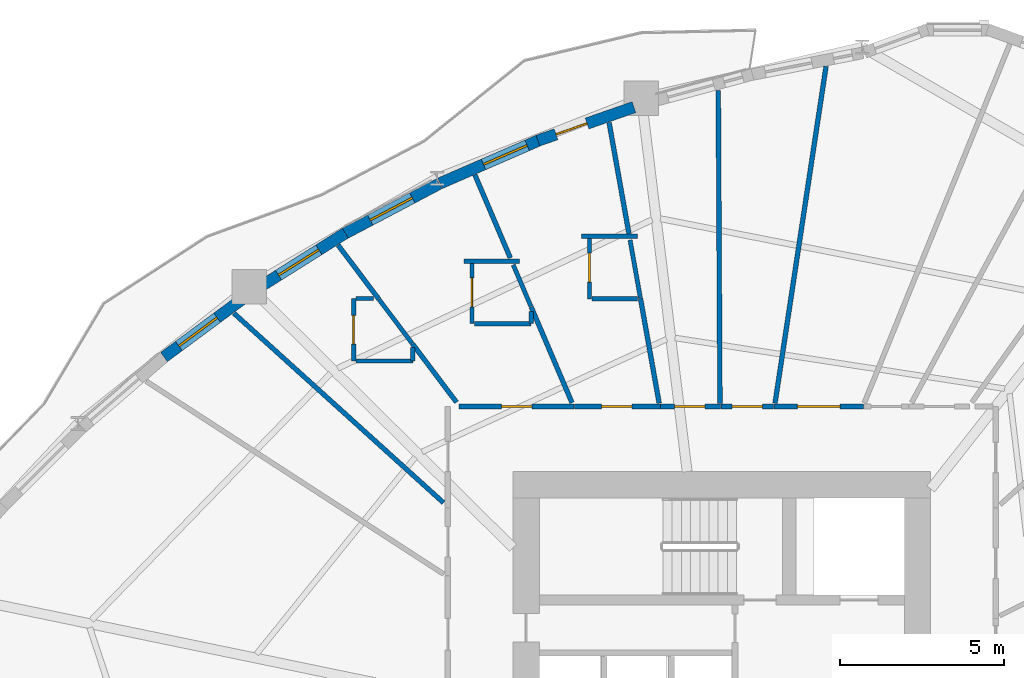
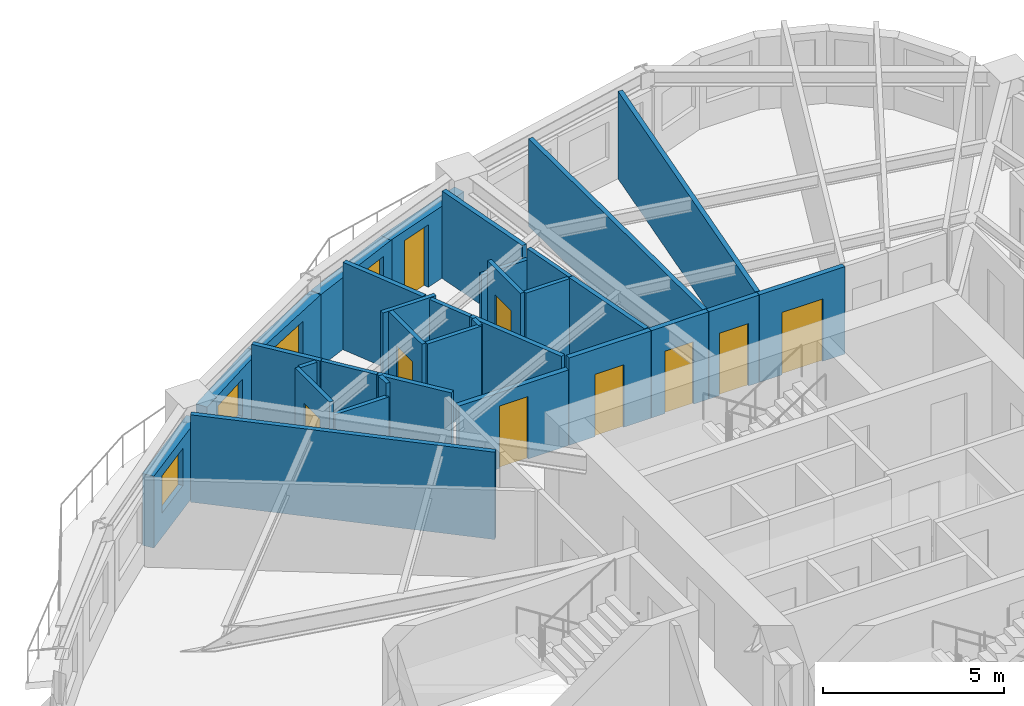
# One storey, part 8 of 14: 33 walls, 9 doors, 4 windows, 13 openings.
"""IFC4 building model written with IfcOpenShell, lengths in metres."""

from ifc_helpers import new_model, si_unit, direction, frame, frame_2d, origin, place, context, subcontext, project, spatial, rectangle, extrude, source, transform, mapped, material, layer, layer_set, type_object, element, fill, save


model = new_model("IFC4")

# Units and contexts
model_context = context("Model", 3, precision=1e-05, world=origin(), true_north=direction((0.0, 1.0)))
body_context = subcontext(model_context, "Body", "Model", "MODEL_VIEW")
ifc_project = project(units=[si_unit("LENGTHUNIT", "METRE"), si_unit("AREAUNIT", "SQUARE_METRE"), si_unit("VOLUMEUNIT", "CUBIC_METRE"), si_unit("PLANEANGLEUNIT", "RADIAN"), si_unit("MASSUNIT", "GRAM", prefix="KILO")], contexts=[model_context])

# Site, building, storey
site_placement = place(None, origin())
site = spatial("IfcSite", under=ifc_project, at=site_placement, CompositionType="ELEMENT")
building_placement = place(site_placement, origin())
building = spatial("IfcBuilding", under=site, at=building_placement, Name="Qafzar Sky-Pleat Residences", CompositionType="ELEMENT")
storey_placement = place(building_placement, frame((0.0, 0.0, 39.800048828125)))
storey = spatial("IfcBuildingStorey", under=building, at=storey_placement, Name="L11", CompositionType="ELEMENT", Elevation=39.800048828125)

# Wall, opening, door
ifc_material_1 = material(Name="Acoustic gypsum plasterboard partition", Category="gypsum")
ifc_layer_1 = layer(ifc_material_1, 0.159912109375)
ifc_layer_set_1 = layer_set([ifc_layer_1], Name="Acoustic gypsum plasterboard partition")
wall_type_1 = type_object("IfcWallType", Name="PART-COR-160", PredefinedType="PARTITIONING", material=ifc_layer_set_1)
wall_1_placement = place(storey_placement, frame((22.361083984375, 36.580078125, 0.0), z_axis=(0.0, 0.0, 1.0), x_axis=(1.0, 0.0, 0.0)))
wall_1 = element("IfcWall", 1, at=wall_1_placement, inside=storey, type_object=wall_type_1, Name="L11 Partition Wall PART-L11-PW-005", PredefinedType="PARTITIONING", context=body_context, shape_type="SweptSolid", body=[
    extrude(rectangle(XDim=3.497802734375, YDim=0.159912109375, at=frame_2d((1.7490234375, 0.0))), origin(), (0.0, 0.0, 1.0), 2.5478515625),
])
opening_1_placement = place(wall_1_placement, frame((1.29052734375, 0.0, 0.0)))
opening_1 = element("IfcOpeningElement", 2, at=opening_1_placement, cuts=wall_1, Name="Opening ID-04", PredefinedType="OPENING", context=body_context, shape_type="SweptSolid", body=[
    extrude(rectangle(XDim=0.919921875, YDim=2.10009765625, at=frame_2d((0.4599609375, 1.050048828125))), frame((0.0, 0.08984375, 0.0), z_axis=(0.0, -1.0, 0.0), x_axis=(1.0, 0.0, 0.0)), (0.0, 0.0, 1.0), 0.179931640625),
])
ifc_material_2 = material(Name="Timber-faced fire door", Category="wood")
door_type_1 = type_object("IfcDoorType", Name="DR-BED-920", OperationType="NOTDEFINED", PredefinedType="DOOR", material=ifc_material_2)
shared_shape_1 = source(origin(), body_context, "Body", "SweptSolid", [
    extrude(rectangle(XDim=0.919921875, YDim=2.10009765625, at=frame_2d((0.4599609375, 1.050048828125))), frame((0.0, 0.02490234375, 0.0), z_axis=(0.0, -1.0, 0.0), x_axis=(1.0, 0.0, 0.0)), (0.0, 0.0, 1.0), 0.050048828125),
])
door_1_placement = place(opening_1_placement, origin())
door_1 = element("IfcDoor", 3, at=door_1_placement, inside=storey, type_object=door_type_1, Name="L11 Co-Living Bedroom 13 Door", OperationType="SINGLE_SWING_RIGHT", OverallHeight=2.10009765625, OverallWidth=0.919921875, PredefinedType="DOOR", context=body_context, shape_type="MappedRepresentation", body=[
    mapped(shared_shape_1, transform((0.0, 0.0, 0.0), x_axis=(1.0, 0.0, 0.0), y_axis=(0.0, 1.0, 0.0), z_axis=(0.0, 0.0, 1.0), scale=1.0)),
])
fill(opening_1, door_1)

wall_2_placement = place(storey_placement, frame((31.93798828125, 36.580078125, 0.0), z_axis=(0.0, 0.0, 1.0), x_axis=(1.0, 0.0, 0.0)))
wall_2 = element("IfcWall", 4, at=wall_2_placement, inside=storey, type_object=wall_type_1, Name="L11 Partition Wall PART-L11-PW-013", PredefinedType="PARTITIONING", context=body_context, shape_type="SweptSolid", body=[
    extrude(rectangle(XDim=2.718017578125, YDim=0.159912109375, at=frame_2d((1.35888671875, 0.0))), origin(), (0.0, 0.0, 1.0), 2.93994140625),
])
opening_2_placement = place(wall_2_placement, frame((0.7080078125, 0.0, 0.0)))
opening_2 = element("IfcOpeningElement", 5, at=opening_2_placement, cuts=wall_2, Name="Opening ID-05", PredefinedType="OPENING", context=body_context, shape_type="SweptSolid", body=[
    extrude(rectangle(XDim=1.300048828125, YDim=2.10009765625, at=frame_2d((0.64990234375, 1.050048828125))), frame((0.0, 0.08984375, 0.0), z_axis=(0.0, -1.0, 0.0), x_axis=(1.0, 0.0, 0.0)), (0.0, 0.0, 1.0), 0.179931640625),
])
door_type_2 = type_object("IfcDoorType", Name="DR-LNG-1300", OperationType="DOUBLE_DOOR_SINGLE_SWING", PredefinedType="DOOR", material=ifc_material_2)
shared_shape_2 = source(origin(), body_context, "Body", "SweptSolid", [
    extrude(rectangle(XDim=1.300048828125, YDim=2.10009765625, at=frame_2d((0.64990234375, 1.050048828125))), frame((0.0, 0.02490234375, 0.0), z_axis=(0.0, -1.0, 0.0), x_axis=(1.0, 0.0, 0.0)), (0.0, 0.0, 1.0), 0.050048828125),
])
door_2_placement = place(opening_2_placement, origin())
door_2 = element("IfcDoor", 6, at=door_2_placement, inside=storey, type_object=door_type_2, Name="L11 Common Dining Room Door", OperationType="DOUBLE_DOOR_SINGLE_SWING", OverallHeight=2.10009765625, OverallWidth=1.300048828125, PredefinedType="DOOR", context=body_context, shape_type="MappedRepresentation", body=[
    mapped(shared_shape_2, transform((0.0, 0.0, 0.0), x_axis=(1.0, 0.0, 0.0), y_axis=(0.0, 1.0, 0.0), z_axis=(0.0, 0.0, 1.0), scale=1.0)),
])
fill(opening_2, door_2)

wall_3_placement = place(storey_placement, frame((25.8740234375, 36.580078125, 0.0), z_axis=(0.0, 0.0, 1.0), x_axis=(1.0, 0.0, 0.0)))
wall_3 = element("IfcWall", 7, at=wall_3_placement, inside=storey, type_object=wall_type_1, Name="L11 Partition Wall PART-L11-PW-015", PredefinedType="PARTITIONING", context=body_context, shape_type="SweptSolid", body=[
    extrude(rectangle(XDim=2.60400390625, YDim=0.159912109375, at=frame_2d((1.302001953125, 0.0))), origin(), (0.0, 0.0, 1.0), 2.93994140625),
])
opening_3_placement = place(wall_3_placement, frame((0.819091796875, 0.0, 0.0)))
opening_3 = element("IfcOpeningElement", 8, at=opening_3_placement, cuts=wall_3, Name="Opening ID-04", PredefinedType="OPENING", context=body_context, shape_type="SweptSolid", body=[
    extrude(rectangle(XDim=0.919921875, YDim=2.10009765625, at=frame_2d((0.4599609375, 1.050048828125))), frame((0.0, 0.08984375, 0.0), z_axis=(0.0, -1.0, 0.0), x_axis=(1.0, 0.0, 0.0)), (0.0, 0.0, 1.0), 0.179931640625),
])
door_3_placement = place(opening_3_placement, origin())
door_3 = element("IfcDoor", 9, at=door_3_placement, inside=storey, type_object=door_type_1, Name="L11 Co-Living Bedroom 14 Door", OperationType="SINGLE_SWING_RIGHT", OverallHeight=2.10009765625, OverallWidth=0.919921875, PredefinedType="DOOR", context=body_context, shape_type="MappedRepresentation", body=[
    mapped(shared_shape_1, transform((0.0, 0.0, 0.0), x_axis=(1.0, 0.0, 0.0), y_axis=(0.0, 1.0, 0.0), z_axis=(0.0, 0.0, 1.0), scale=1.0)),
])
fill(opening_3, door_3)

wall_4_placement = place(storey_placement, frame((28.492919921875, 36.580078125, 0.0), z_axis=(0.0, 0.0, 1.0), x_axis=(1.0, 0.0, 0.0)))
wall_4 = element("IfcWall", 10, at=wall_4_placement, inside=storey, type_object=wall_type_1, Name="L11 Partition Wall PART-L11-PW-030", PredefinedType="PARTITIONING", context=body_context, shape_type="SweptSolid", body=[
    extrude(rectangle(XDim=1.816162109375, YDim=0.159912109375, at=frame_2d((0.908203125, 0.0))), origin(), (0.0, 0.0, 1.0), 2.93994140625),
])
opening_4_placement = place(wall_4_placement, frame((0.425537109375, 0.0, 0.0)))
opening_4 = element("IfcOpeningElement", 11, at=opening_4_placement, cuts=wall_4, Name="Opening ID-04", PredefinedType="OPENING", context=body_context, shape_type="SweptSolid", body=[
    extrude(rectangle(XDim=0.919921875, YDim=2.10009765625, at=frame_2d((0.4599609375, 1.050048828125))), frame((0.0, 0.08984375, 0.0), z_axis=(0.0, -1.0, 0.0), x_axis=(1.0, 0.0, 0.0)), (0.0, 0.0, 1.0), 0.179931640625),
])
door_4_placement = place(opening_4_placement, origin())
door_4 = element("IfcDoor", 12, at=door_4_placement, inside=storey, type_object=door_type_1, Name="L11 Co-Living Bedroom 11 Door", OperationType="SINGLE_SWING_LEFT", OverallHeight=2.10009765625, OverallWidth=0.919921875, PredefinedType="DOOR", context=body_context, shape_type="MappedRepresentation", body=[
    mapped(shared_shape_1, transform((0.0, 0.0, 0.0), x_axis=(1.0, 0.0, 0.0), y_axis=(0.0, 1.0, 0.0), z_axis=(0.0, 0.0, 1.0), scale=1.0)),
])
fill(opening_4, door_4)

wall_5_placement = place(storey_placement, frame((30.323974609375, 36.580078125, 0.0), z_axis=(0.0, 0.0, 1.0), x_axis=(1.0, 0.0, 0.0)))
wall_5 = element("IfcWall", 13, at=wall_5_placement, inside=storey, type_object=wall_type_1, Name="L11 Partition Wall PART-L11-PW-032", PredefinedType="PARTITIONING", context=body_context, shape_type="SweptSolid", body=[
    extrude(rectangle(XDim=1.59912109375, YDim=0.159912109375, at=frame_2d((0.799560546875, 0.0))), origin(), (0.0, 0.0, 1.0), 2.93994140625),
])
opening_5_placement = place(wall_5_placement, frame((0.339599609375, 0.0, 0.0)))
opening_5 = element("IfcOpeningElement", 14, at=opening_5_placement, cuts=wall_5, Name="Opening ID-04", PredefinedType="OPENING", context=body_context, shape_type="SweptSolid", body=[
    extrude(rectangle(XDim=0.919921875, YDim=2.10009765625, at=frame_2d((0.4599609375, 1.050048828125))), frame((0.0, 0.08984375, 0.0), z_axis=(0.0, -1.0, 0.0), x_axis=(1.0, 0.0, 0.0)), (0.0, 0.0, 1.0), 0.179931640625),
])
door_5_placement = place(opening_5_placement, origin())
door_5 = element("IfcDoor", 15, at=door_5_placement, inside=storey, type_object=door_type_1, Name="L11 Co-Living Bedroom 12 Door", OperationType="SINGLE_SWING_LEFT", OverallHeight=2.10009765625, OverallWidth=0.919921875, PredefinedType="DOOR", context=body_context, shape_type="MappedRepresentation", body=[
    mapped(shared_shape_1, transform((0.0, 0.0, 0.0), x_axis=(1.0, 0.0, 0.0), y_axis=(0.0, 1.0, 0.0), z_axis=(0.0, 0.0, 1.0), scale=1.0)),
])
fill(opening_5, door_5)

# Walls
ifc_layer_2 = layer(ifc_material_1, 0.14501953125)
ifc_layer_set_2 = layer_set([ifc_layer_2], Name="Acoustic gypsum plasterboard partition")
wall_type_2 = type_object("IfcWallType", Name="PART-UNIT-145", PredefinedType="PARTITIONING", material=ifc_layer_set_2)
wall_6_placement = place(storey_placement, frame((31.968017578125, 36.6787109375, 0.0), z_axis=(0.0, 0.0, 1.0), x_axis=(0.149735581821, 0.9887260771, 0.0)))
element("IfcWall", 16, at=wall_6_placement, inside=storey, type_object=wall_type_2, Name="L11 Partition Wall PART-L11-PW-040", PredefinedType="PARTITIONING", context=body_context, shape_type="SweptSolid", body=[
    extrude(rectangle(XDim=10.361572265625, YDim=0.14501953125, at=frame_2d((5.1806640625, 0.0))), origin(), (0.0, 0.0, 1.0), 2.93994140625),
])
wall_7_placement = place(storey_placement, frame((30.2421875, 46.18798828125, 0.0), z_axis=(0.0, 0.0, 1.0), x_axis=(0.00538564204, -0.999985497325, 0.0)))
element("IfcWall", 17, at=wall_7_placement, inside=storey, type_object=wall_type_2, Name="L11 Partition Wall PART-L11-PW-042", PredefinedType="PARTITIONING", context=body_context, shape_type="SweptSolid", body=[
    extrude(rectangle(XDim=9.519775390625, YDim=0.14501953125, at=frame_2d((4.759765625, 0.0))), origin(), (0.0, 0.0, 1.0), 2.93994140625),
])
wall_8_placement = place(storey_placement, frame((15.516357421875, 39.412841796875, 0.0), z_axis=(0.0, 0.0, 1.0), x_axis=(0.741796419009, -0.670625135784, 0.0)))
element("IfcWall", 18, at=wall_8_placement, inside=storey, type_object=wall_type_2, Name="L11 Partition Wall PART-L11-PW-043", PredefinedType="PARTITIONING", context=body_context, shape_type="SweptSolid", body=[
    extrude(rectangle(XDim=8.586181640625, YDim=0.14501953125, at=frame_2d((4.29296875, 0.0))), origin(), (0.0, 0.0, 1.0), 2.93994140625),
])
wall_9_placement = place(storey_placement, frame((26.923095703125, 45.212890625, 0.0), z_axis=(0.0, 0.0, 1.0), x_axis=(0.175687492323, -0.98444598889, 0.0)))
element("IfcWall", 19, at=wall_9_placement, inside=storey, type_object=wall_type_2, Name="L11 Partition Wall PART-L11-PW-055", PredefinedType="PARTITIONING", context=body_context, shape_type="SweptSolid", body=[
    extrude(rectangle(XDim=3.440673828125, YDim=0.14501953125, at=frame_2d((1.72021484375, 0.0))), origin(), (0.0, 0.0, 1.0), 2.93994140625),
])
wall_10_placement = place(storey_placement, frame((27.8759765625, 39.8701171875, 0.0), z_axis=(0.0, 0.0, 1.0), x_axis=(0.175655014507, -0.984451784436, 0.0)))
element("IfcWall", 20, at=wall_10_placement, inside=storey, type_object=wall_type_2, Name="L11 Partition Wall PART-L11-PW-058", PredefinedType="PARTITIONING", context=body_context, shape_type="SweptSolid", body=[
    extrude(rectangle(XDim=3.23974609375, YDim=0.14501953125, at=frame_2d((1.619873046875, 0.0))), origin(), (0.0, 0.0, 1.0), 2.93994140625),
])
wall_11_placement = place(storey_placement, frame((24.552001953125, 39.610107421875, 0.0), z_axis=(0.0, 0.0, 1.0), x_axis=(0.391974411108, -0.919976119819, 0.0)))
element("IfcWall", 21, at=wall_11_placement, inside=storey, type_object=wall_type_2, Name="L11 Partition Wall PART-L11-PW-059", PredefinedType="PARTITIONING", context=body_context, shape_type="SweptSolid", body=[
    extrude(rectangle(XDim=3.167724609375, YDim=0.14501953125, at=frame_2d((1.583984375, 0.0))), origin(), (0.0, 0.0, 1.0), 2.93994140625),
])
wall_12_placement = place(storey_placement, frame((22.84130859375, 43.6259765625, 0.0), z_axis=(0.0, 0.0, 1.0), x_axis=(0.392030625658, -0.919952166445, 0.0)))
element("IfcWall", 22, at=wall_12_placement, inside=storey, type_object=wall_type_2, Name="L11 Partition Wall PART-L11-PW-062", PredefinedType="PARTITIONING", context=body_context, shape_type="SweptSolid", body=[
    extrude(rectangle(XDim=2.7470703125, YDim=0.14501953125, at=frame_2d((1.37353515625, 0.0))), origin(), (0.0, 0.0, 1.0), 2.93994140625),
])
wall_13_placement = place(storey_placement, frame((20.94091796875, 38.489990234375, 0.0), z_axis=(0.0, 0.0, 1.0), x_axis=(0.601733790382, -0.798696716853, 0.0)))
element("IfcWall", 23, at=wall_13_placement, inside=storey, type_object=wall_type_2, Name="L11 Partition Wall PART-L11-PW-066", PredefinedType="PARTITIONING", context=body_context, shape_type="SweptSolid", body=[
    extrude(rectangle(XDim=2.228759765625, YDim=0.14501953125, at=frame_2d((1.1142578125, 0.0))), origin(), (0.0, 0.0, 1.0), 2.93994140625),
])
wall_14_placement = place(storey_placement, frame((18.681396484375, 41.48876953125, 0.0), z_axis=(0.0, 0.0, 1.0), x_axis=(0.601842551228, -0.79861476541, 0.0)))
element("IfcWall", 24, at=wall_14_placement, inside=storey, type_object=wall_type_2, Name="L11 Partition Wall PART-L11-PW-068", PredefinedType="PARTITIONING", context=body_context, shape_type="SweptSolid", body=[
    extrude(rectangle(XDim=2.0546875, YDim=0.14501953125, at=frame_2d((1.02734375, 0.0))), origin(), (0.0, 0.0, 1.0), 2.93994140625),
])

# Wall, opening, door
ifc_material_3 = material(Name="Moisture-resistant gypsum partition", Category="gypsum")
ifc_layer_3 = layer(ifc_material_3, 0.1298828125)
ifc_layer_set_3 = layer_set([ifc_layer_3], Name="Moisture-resistant gypsum partition")
wall_type_3 = type_object("IfcWallType", Name="PART-WET-130", PredefinedType="PARTITIONING", material=ifc_layer_set_3)
wall_15_placement = place(storey_placement, frame((26.324951171875, 41.681884765625, 0.0), z_axis=(0.0, 0.0, 1.0), x_axis=(0.0, -1.0, 0.0)))
wall_15 = element("IfcWall", 25, at=wall_15_placement, inside=storey, type_object=wall_type_3, Name="L11 Partition Wall PART-L11-PW-019", PredefinedType="PARTITIONING", context=body_context, shape_type="SweptSolid", body=[
    extrude(rectangle(XDim=1.826904296875, YDim=0.1298828125, at=frame_2d((0.91357421875, 0.0))), origin(), (0.0, 0.0, 1.0), 2.93994140625),
])
opening_6_placement = place(wall_15_placement, frame((0.43701171875, 0.0, 0.0)))
opening_6 = element("IfcOpeningElement", 26, at=opening_6_placement, cuts=wall_15, Name="Opening ID-07", PredefinedType="OPENING", context=body_context, shape_type="SweptSolid", body=[
    extrude(rectangle(XDim=0.8798828125, YDim=2.050048828125, at=frame_2d((0.43994140625, 1.02490234375))), frame((0.0, 0.074951171875, 0.0), z_axis=(0.0, -1.0, 0.0), x_axis=(1.0, 0.0, 0.0)), (0.0, 0.0, 1.0), 0.14990234375),
])
door_type_3 = type_object("IfcDoorType", Name="DR-WET-880", OperationType="NOTDEFINED", PredefinedType="DOOR", material=ifc_material_2)
shared_shape_3 = source(origin(), body_context, "Body", "SweptSolid", [
    extrude(rectangle(XDim=0.8798828125, YDim=2.050048828125, at=frame_2d((0.43994140625, 1.02490234375))), frame((0.0, 0.02490234375, 0.0), z_axis=(0.0, -1.0, 0.0), x_axis=(1.0, 0.0, 0.0)), (0.0, 0.0, 1.0), 0.050048828125),
])
door_6_placement = place(opening_6_placement, origin())
door_6 = element("IfcDoor", 27, at=door_6_placement, inside=storey, type_object=door_type_3, Name="L11 En-suite Bathroom 14 Door", OperationType="SINGLE_SWING_RIGHT", OverallHeight=2.050048828125, OverallWidth=0.8798828125, PredefinedType="DOOR", context=body_context, shape_type="MappedRepresentation", body=[
    mapped(shared_shape_3, transform((0.0, 0.0, 0.0), x_axis=(1.0, 0.0, 0.0), y_axis=(0.0, 1.0, 0.0), z_axis=(0.0, 0.0, 1.0), scale=1.0)),
])
fill(opening_6, door_6)

wall_16_placement = place(storey_placement, frame((22.751953125, 40.925048828125, 0.0), z_axis=(0.0, 0.0, 1.0), x_axis=(0.0, -1.0, 0.0)))
wall_16 = element("IfcWall", 28, at=wall_16_placement, inside=storey, type_object=wall_type_3, Name="L11 Partition Wall PART-L11-PW-026", PredefinedType="PARTITIONING", context=body_context, shape_type="SweptSolid", body=[
    extrude(rectangle(XDim=1.8271484375, YDim=0.1298828125, at=frame_2d((0.91357421875, 0.0))), origin(), (0.0, 0.0, 1.0), 2.93994140625),
])
opening_7_placement = place(wall_16_placement, frame((0.43701171875, 0.0, 0.0)))
opening_7 = element("IfcOpeningElement", 29, at=opening_7_placement, cuts=wall_16, Name="Opening ID-07", PredefinedType="OPENING", context=body_context, shape_type="SweptSolid", body=[
    extrude(rectangle(XDim=0.8798828125, YDim=2.050048828125, at=frame_2d((0.43994140625, 1.02490234375))), frame((0.0, 0.074951171875, 0.0), z_axis=(0.0, -1.0, 0.0), x_axis=(1.0, 0.0, 0.0)), (0.0, 0.0, 1.0), 0.14990234375),
])
door_7_placement = place(opening_7_placement, origin())
door_7 = element("IfcDoor", 30, at=door_7_placement, inside=storey, type_object=door_type_3, Name="L11 En-suite Bathroom 13 Door", OperationType="SINGLE_SWING_LEFT", OverallHeight=2.050048828125, OverallWidth=0.8798828125, PredefinedType="DOOR", context=body_context, shape_type="MappedRepresentation", body=[
    mapped(shared_shape_3, transform((0.0, 0.0, 0.0), x_axis=(1.0, 0.0, 0.0), y_axis=(0.0, 1.0, 0.0), z_axis=(0.0, 0.0, 1.0), scale=1.0)),
])
fill(opening_7, door_7)

wall_17_placement = place(storey_placement, frame((19.156005859375, 39.863037109375, 0.0), z_axis=(0.0, 0.0, 1.0), x_axis=(0.0, -1.0, 0.0)))
wall_17 = element("IfcWall", 31, at=wall_17_placement, inside=storey, type_object=wall_type_3, Name="L11 Partition Wall PART-L11-PW-027", PredefinedType="PARTITIONING", context=body_context, shape_type="SweptSolid", body=[
    extrude(rectangle(XDim=1.900146484375, YDim=0.1298828125, at=frame_2d((0.9501953125, 0.0))), origin(), (0.0, 0.0, 1.0), 2.93994140625),
])
opening_8_placement = place(wall_17_placement, frame((0.510009765625, 0.0, 0.0)))
opening_8 = element("IfcOpeningElement", 32, at=opening_8_placement, cuts=wall_17, Name="Opening ID-07", PredefinedType="OPENING", context=body_context, shape_type="SweptSolid", body=[
    extrude(rectangle(XDim=0.8798828125, YDim=2.050048828125, at=frame_2d((0.43994140625, 1.02490234375))), frame((0.0, 0.074951171875, 0.0), z_axis=(0.0, -1.0, 0.0), x_axis=(1.0, 0.0, 0.0)), (0.0, 0.0, 1.0), 0.14990234375),
])
door_8_placement = place(opening_8_placement, origin())
door_8 = element("IfcDoor", 33, at=door_8_placement, inside=storey, type_object=door_type_3, Name="L11 En-suite Bathroom 16 Door", OperationType="SINGLE_SWING_RIGHT", OverallHeight=2.050048828125, OverallWidth=0.8798828125, PredefinedType="DOOR", context=body_context, shape_type="MappedRepresentation", body=[
    mapped(shared_shape_3, transform((0.0, 0.0, 0.0), x_axis=(1.0, 0.0, 0.0), y_axis=(0.0, 1.0, 0.0), z_axis=(0.0, 0.0, 1.0), scale=1.0)),
])
fill(opening_8, door_8)

# Walls
wall_18_placement = place(storey_placement, frame((27.56005859375, 41.640869140625, 0.0), z_axis=(0.0, 0.0, 1.0), x_axis=(0.175463771609, -0.9844858886, 0.0)))
element("IfcWall", 34, at=wall_18_placement, inside=storey, type_object=wall_type_3, Name="L11 Partition Wall PART-L11-PW-071", PredefinedType="PARTITIONING", context=body_context, shape_type="SweptSolid", body=[
    extrude(rectangle(XDim=1.78369140625, YDim=0.1298828125, at=frame_2d((0.891845703125, 0.0))), origin(), (0.0, 0.0, 1.0), 2.93994140625),
])
wall_19_placement = place(storey_placement, frame((22.824951171875, 39.097900390625, 0.0), z_axis=(0.0, 0.0, 1.0), x_axis=(1.0, 0.0, 0.0)))
element("IfcWall", 35, at=wall_19_placement, inside=storey, type_object=wall_type_3, Name="L11 Partition Wall PART-L11-PW-079", PredefinedType="PARTITIONING", context=body_context, shape_type="SweptSolid", body=[
    extrude(rectangle(XDim=1.72705078125, YDim=0.1298828125, at=frame_2d((0.863525390625, 0.0))), origin(), (0.0, 0.0, 1.0), 2.93994140625),
])
wall_20_placement = place(storey_placement, frame((19.22900390625, 37.962890625, 0.0), z_axis=(0.0, 0.0, 1.0), x_axis=(1.0, 0.0, 0.0)))
element("IfcWall", 36, at=wall_20_placement, inside=storey, type_object=wall_type_3, Name="L11 Partition Wall PART-L11-PW-080", PredefinedType="PARTITIONING", context=body_context, shape_type="SweptSolid", body=[
    extrude(rectangle(XDim=1.72705078125, YDim=0.1298828125, at=frame_2d((0.863525390625, 0.0))), origin(), (0.0, 0.0, 1.0), 2.508056640625),
])
wall_21_placement = place(storey_placement, frame((19.9267578125, 39.835693359375, 0.0), z_axis=(0.0, 0.0, 1.0), x_axis=(0.601846185739, -0.798612026401, 0.0)))
element("IfcWall", 37, at=wall_21_placement, inside=storey, type_object=wall_type_3, Name="L11 Partition Wall PART-L11-PW-084", PredefinedType="PARTITIONING", context=body_context, shape_type="SweptSolid", body=[
    extrude(rectangle(XDim=1.670166015625, YDim=0.1298828125, at=frame_2d((0.8349609375, 0.0))), origin(), (0.0, 0.0, 1.0), 2.93994140625),
])
wall_22_placement = place(storey_placement, frame((26.39794921875, 39.85498046875, 0.0), z_axis=(0.0, 0.0, 1.0), x_axis=(1.0, 0.0, 0.0)))
element("IfcWall", 38, at=wall_22_placement, inside=storey, type_object=wall_type_3, Name="L11 Partition Wall PART-L11-PW-088", PredefinedType="PARTITIONING", context=body_context, shape_type="SweptSolid", body=[
    extrude(rectangle(XDim=1.387939453125, YDim=0.1298828125, at=frame_2d((0.69384765625, 0.0))), origin(), (0.0, 0.0, 1.0), 2.93994140625),
])
wall_23_placement = place(storey_placement, frame((24.008544921875, 40.886474609375, 0.0), z_axis=(0.0, 0.0, 1.0), x_axis=(0.39172821254, -0.920080978773, 0.0)))
element("IfcWall", 39, at=wall_23_placement, inside=storey, type_object=wall_type_3, Name="L11 Partition Wall PART-L11-PW-089", PredefinedType="PARTITIONING", context=body_context, shape_type="SweptSolid", body=[
    extrude(rectangle(XDim=1.372314453125, YDim=0.1298828125, at=frame_2d((0.68603515625, 0.0))), origin(), (0.0, 0.0, 1.0), 2.93994140625),
])
wall_24_placement = place(storey_placement, frame((26.0849609375, 41.7548828125, 0.0), z_axis=(0.0, 0.0, 1.0), x_axis=(1.0, 0.0, 0.0)))
element("IfcWall", 40, at=wall_24_placement, inside=storey, type_object=wall_type_3, Name="L11 Partition Wall PART-L11-PW-095", PredefinedType="PARTITIONING", context=body_context, shape_type="SweptSolid", body=[
    extrude(rectangle(XDim=1.695068359375, YDim=0.1298828125, at=frame_2d((0.84765625, 0.0))), origin(), (0.0, 0.0, 1.0), 2.508056640625),
])
wall_25_placement = place(storey_placement, frame((22.511962890625, 40.998046875, 0.0), z_axis=(0.0, 0.0, 1.0), x_axis=(1.0, 0.0, 0.0)))
element("IfcWall", 41, at=wall_25_placement, inside=storey, type_object=wall_type_3, Name="L11 Partition Wall PART-L11-PW-097", PredefinedType="PARTITIONING", context=body_context, shape_type="SweptSolid", body=[
    extrude(rectangle(XDim=1.68896484375, YDim=0.1298828125, at=frame_2d((0.844482421875, 0.0))), origin(), (0.0, 0.0, 1.0), 2.93994140625),
])
wall_26_placement = place(storey_placement, frame((19.22900390625, 39.863037109375, 0.0), z_axis=(0.0, 0.0, 1.0), x_axis=(1.0, 0.0, 0.0)))
element("IfcWall", 42, at=wall_26_placement, inside=storey, type_object=wall_type_3, Name="L11 Partition Wall PART-L11-PW-108", PredefinedType="PARTITIONING", context=body_context, shape_type="SweptSolid", body=[
    extrude(rectangle(XDim=0.5302734375, YDim=0.1298828125, at=frame_2d((0.26513671875, 0.0))), origin(), (0.0, 0.0, 1.0), 2.93994140625),
])
wall_27_placement = place(storey_placement, frame((24.552001953125, 39.097900390625, 0.0), z_axis=(0.0, 0.0, 1.0), x_axis=(0.0, 1.0, 0.0)))
element("IfcWall", 43, at=wall_27_placement, inside=storey, type_object=wall_type_3, Name="L11 Partition Wall PART-L11-PW-110", PredefinedType="PARTITIONING", context=body_context, shape_type="SweptSolid", body=[
    extrude(rectangle(XDim=0.377197265625, YDim=0.1298828125, at=frame_2d((0.1884765625, 0.0))), origin(), (0.0, 0.0, 1.0), 2.93994140625),
])
wall_28_placement = place(storey_placement, frame((20.9560546875, 37.962890625, 0.0), z_axis=(0.0, 0.0, 1.0), x_axis=(0.0, 1.0, 0.0)))
element("IfcWall", 44, at=wall_28_placement, inside=storey, type_object=wall_type_3, Name="L11 Partition Wall PART-L11-PW-111", PredefinedType="PARTITIONING", context=body_context, shape_type="SweptSolid", body=[
    extrude(rectangle(XDim=0.4169921875, YDim=0.1298828125, at=frame_2d((0.20849609375, 0.0))), origin(), (0.0, 0.0, 1.0), 2.93994140625),
])

# Wall, opening, door
ifc_material_4 = material(Name="Precast concrete C40/50 with honed Riyadh limestone", Category="concrete")
ifc_layer_4 = layer(ifc_material_4, 0.35009765625)
ifc_layer_set_4 = layer_set([ifc_layer_4], Name="Precast concrete C40/50 with honed Riyadh limestone")
wall_type_4 = type_object("IfcWallType", Name="WALL-EXT-350", PredefinedType="SOLIDWALL", material=ifc_layer_set_4)
wall_29_placement = place(storey_placement, frame((27.67919921875, 45.6826171875, 0.0), z_axis=(0.0, 0.0, 1.0), x_axis=(-0.944147093892, -0.32952430122, 0.0)))
wall_29 = element("IfcWall", 45, at=wall_29_placement, inside=storey, type_object=wall_type_4, Name="L11 Limestone Facade Wall 41", PredefinedType="SOLIDWALL", context=body_context, shape_type="SweptSolid", body=[
    extrude(rectangle(XDim=3.093994140625, YDim=0.35009765625, at=frame_2d((1.546875, 0.0))), origin(), (0.0, 0.0, 1.0), 2.419921875),
])
opening_9_placement = place(wall_29_placement, frame((1.510986328125, 0.0, 0.0)))
opening_9 = element("IfcOpeningElement", 46, at=opening_9_placement, cuts=wall_29, Name="Opening ED-05", PredefinedType="OPENING", context=body_context, shape_type="SweptSolid", body=[
    extrude(rectangle(XDim=1.0, YDim=2.10009765625, at=frame_2d((0.5, 1.050048828125))), frame((0.0, 0.18505859375, 0.0), z_axis=(0.0, -1.0, 0.0), x_axis=(1.0, 0.0, 0.0)), (0.0, 0.0, 1.0), 0.3701171875),
])
ifc_material_5 = material(Name="Glazed bronze aluminium door", Category="aluminium")
door_type_4 = type_object("IfcDoorType", Name="DR-BAL-1000", OperationType="NOTDEFINED", PredefinedType="DOOR", material=ifc_material_5)
shared_shape_4 = source(origin(), body_context, "Body", "SweptSolid", [
    extrude(rectangle(XDim=1.0, YDim=2.10009765625, at=frame_2d((0.5, 1.050048828125))), frame((0.0, 0.02490234375, 0.0), z_axis=(0.0, -1.0, 0.0), x_axis=(1.0, 0.0, 0.0)), (0.0, 0.0, 1.0), 0.050048828125),
])
door_9_placement = place(opening_9_placement, origin())
door_9 = element("IfcDoor", 47, at=door_9_placement, inside=storey, type_object=door_type_4, Name="L11 Glazed Balcony Door 2", OperationType="SINGLE_SWING_LEFT", OverallHeight=2.10009765625, OverallWidth=1.0, PredefinedType="DOOR", context=body_context, shape_type="MappedRepresentation", body=[
    mapped(shared_shape_4, transform((0.0, 0.0, 0.0), x_axis=(1.0, 0.0, 0.0), y_axis=(0.0, 1.0, 0.0), z_axis=(0.0, 0.0, 1.0), scale=1.0)),
])
fill(opening_9, door_9)

# Wall, opening, window
wall_30_placement = place(storey_placement, frame((24.8408203125, 44.695556640625, 0.0), z_axis=(0.0, 0.0, 1.0), x_axis=(-0.917061912289, -0.398744842009, 0.0)))
wall_30 = element("IfcWall", 48, at=wall_30_placement, inside=storey, type_object=wall_type_4, Name="L11 Limestone Facade Wall 42", PredefinedType="SOLIDWALL", context=body_context, shape_type="SweptSolid", body=[
    extrude(rectangle(XDim=3.336181640625, YDim=0.35009765625, at=frame_2d((1.66796875, 0.0))), origin(), (0.0, 0.0, 1.0), 2.419921875),
])
opening_10_placement = place(wall_30_placement, frame((0.445068359375, 0.0, 0.820068359375)))
opening_10 = element("IfcOpeningElement", 49, at=opening_10_placement, cuts=wall_30, Name="Opening WN-15", PredefinedType="OPENING", context=body_context, shape_type="SweptSolid", body=[
    extrude(rectangle(XDim=1.449951171875, YDim=1.25, at=frame_2d((0.72509765625, 0.625))), frame((0.0, 0.18505859375, 0.0), z_axis=(0.0, -1.0, 0.0), x_axis=(1.0, 0.0, 0.0)), (0.0, 0.0, 1.0), 0.3701171875),
])
ifc_material_6 = material(Name="Solar-control low-E glass in bronze aluminium frame", Category="glass")
window_type = type_object("IfcWindowType", Name="WIN-15", PartitioningType="SINGLE_PANEL", PredefinedType="WINDOW", material=ifc_material_6)
shared_shape_5 = source(origin(), body_context, "Body", "SweptSolid", [
    extrude(rectangle(XDim=1.449951171875, YDim=1.25, at=frame_2d((0.72509765625, 0.625))), frame((0.0, 0.030029296875, 0.0), z_axis=(0.0, -1.0, 0.0), x_axis=(1.0, 0.0, 0.0)), (0.0, 0.0, 1.0), 0.06005859375),
])
window_1_placement = place(opening_10_placement, origin())
window_1 = element("IfcWindow", 50, at=window_1_placement, inside=storey, type_object=window_type, Name="L11 Punched Facade Window 42", OverallHeight=1.25, OverallWidth=1.449951171875, PartitioningType="SINGLE_PANEL", PredefinedType="WINDOW", context=body_context, shape_type="MappedRepresentation", body=[
    mapped(shared_shape_5, transform((0.0, 0.0, 0.0), x_axis=(1.0, 0.0, 0.0), y_axis=(0.0, 1.0, 0.0), z_axis=(0.0, 0.0, 1.0), scale=1.0)),
])
fill(opening_10, window_1)

wall_31_placement = place(storey_placement, frame((21.757080078125, 43.353759765625, 0.0), z_axis=(0.0, 0.0, 1.0), x_axis=(-0.884394035355, -0.466741031224, 0.0)))
wall_31 = element("IfcWall", 51, at=wall_31_placement, inside=storey, type_object=wall_type_4, Name="L11 Limestone Facade Wall 43", PredefinedType="SOLIDWALL", context=body_context, shape_type="SweptSolid", body=[
    extrude(rectangle(XDim=3.3173828125, YDim=0.35009765625, at=frame_2d((1.65869140625, 0.0))), origin(), (0.0, 0.0, 1.0), 2.419921875),
])
opening_11_placement = place(wall_31_placement, frame((0.923583984375, 0.0, 0.820068359375)))
opening_11 = element("IfcOpeningElement", 52, at=opening_11_placement, cuts=wall_31, Name="Opening WN-15", PredefinedType="OPENING", context=body_context, shape_type="SweptSolid", body=[
    extrude(rectangle(XDim=1.449951171875, YDim=1.25, at=frame_2d((0.72509765625, 0.625))), frame((0.0, 0.18505859375, 0.0), z_axis=(0.0, -1.0, 0.0), x_axis=(1.0, 0.0, 0.0)), (0.0, 0.0, 1.0), 0.3701171875),
])
window_2_placement = place(opening_11_placement, origin())
window_2 = element("IfcWindow", 53, at=window_2_placement, inside=storey, type_object=window_type, Name="L11 Punched Facade Window 43", OverallHeight=1.25, OverallWidth=1.449951171875, PartitioningType="SINGLE_PANEL", PredefinedType="WINDOW", context=body_context, shape_type="MappedRepresentation", body=[
    mapped(shared_shape_5, transform((0.0, 0.0, 0.0), x_axis=(1.0, 0.0, 0.0), y_axis=(0.0, 1.0, 0.0), z_axis=(0.0, 0.0, 1.0), scale=1.0)),
])
fill(opening_11, window_2)

wall_32_placement = place(storey_placement, frame((18.900634765625, 41.849853515625, 0.0), z_axis=(0.0, 0.0, 1.0), x_axis=(-0.846436796602, -0.532489201167, 0.0)))
wall_32 = element("IfcWall", 54, at=wall_32_placement, inside=storey, type_object=wall_type_4, Name="L11 Limestone Facade Wall 44", PredefinedType="SOLIDWALL", context=body_context, shape_type="SweptSolid", body=[
    extrude(rectangle(XDim=3.03759765625, YDim=0.35009765625, at=frame_2d((1.518798828125, 0.0))), origin(), (0.0, 0.0, 1.0), 2.419921875),
])
opening_12_placement = place(wall_32_placement, frame((0.948486328125, 0.0, 0.820068359375)))
opening_12 = element("IfcOpeningElement", 55, at=opening_12_placement, cuts=wall_32, Name="Opening WN-15", PredefinedType="OPENING", context=body_context, shape_type="SweptSolid", body=[
    extrude(rectangle(XDim=1.449951171875, YDim=1.25, at=frame_2d((0.72509765625, 0.625))), frame((0.0, 0.18505859375, 0.0), z_axis=(0.0, -1.0, 0.0), x_axis=(1.0, 0.0, 0.0)), (0.0, 0.0, 1.0), 0.3701171875),
])
window_3_placement = place(opening_12_placement, origin())
window_3 = element("IfcWindow", 56, at=window_3_placement, inside=storey, type_object=window_type, Name="L11 Punched Facade Window 44", OverallHeight=1.25, OverallWidth=1.449951171875, PartitioningType="SINGLE_PANEL", PredefinedType="WINDOW", context=body_context, shape_type="MappedRepresentation", body=[
    mapped(shared_shape_5, transform((0.0, 0.0, 0.0), x_axis=(1.0, 0.0, 0.0), y_axis=(0.0, 1.0, 0.0), z_axis=(0.0, 0.0, 1.0), scale=1.0)),
])
fill(opening_12, window_3)

wall_33_placement = place(storey_placement, frame((15.845703125, 39.90185546875, 0.0), z_axis=(0.0, 0.0, 1.0), x_axis=(-0.803789189233, -0.594914228501, 0.0)))
wall_33 = element("IfcWall", 57, at=wall_33_placement, inside=storey, type_object=wall_type_4, Name="L11 Limestone Facade Wall 45", PredefinedType="SOLIDWALL", context=body_context, shape_type="SweptSolid", body=[
    extrude(rectangle(XDim=3.056396484375, YDim=0.35009765625, at=frame_2d((1.5283203125, 0.0))), origin(), (0.0, 0.0, 1.0), 2.419921875),
])
opening_13_placement = place(wall_33_placement, frame((1.044189453125, 0.0, 0.820068359375)))
opening_13 = element("IfcOpeningElement", 58, at=opening_13_placement, cuts=wall_33, Name="Opening WN-15", PredefinedType="OPENING", context=body_context, shape_type="SweptSolid", body=[
    extrude(rectangle(XDim=1.449951171875, YDim=1.25, at=frame_2d((0.72509765625, 0.625))), frame((0.0, 0.18505859375, 0.0), z_axis=(0.0, -1.0, 0.0), x_axis=(1.0, 0.0, 0.0)), (0.0, 0.0, 1.0), 0.3701171875),
])
window_4_placement = place(opening_13_placement, origin())
window_4 = element("IfcWindow", 59, at=window_4_placement, inside=storey, type_object=window_type, Name="L11 Punched Facade Window 45-2", OverallHeight=1.25, OverallWidth=1.449951171875, PartitioningType="SINGLE_PANEL", PredefinedType="WINDOW", context=body_context, shape_type="MappedRepresentation", body=[
    mapped(shared_shape_5, transform((0.0, 0.0, 0.0), x_axis=(1.0, 0.0, 0.0), y_axis=(0.0, 1.0, 0.0), z_axis=(0.0, 0.0, 1.0), scale=1.0)),
])
fill(opening_13, window_4)

save(model, "model.ifc")
